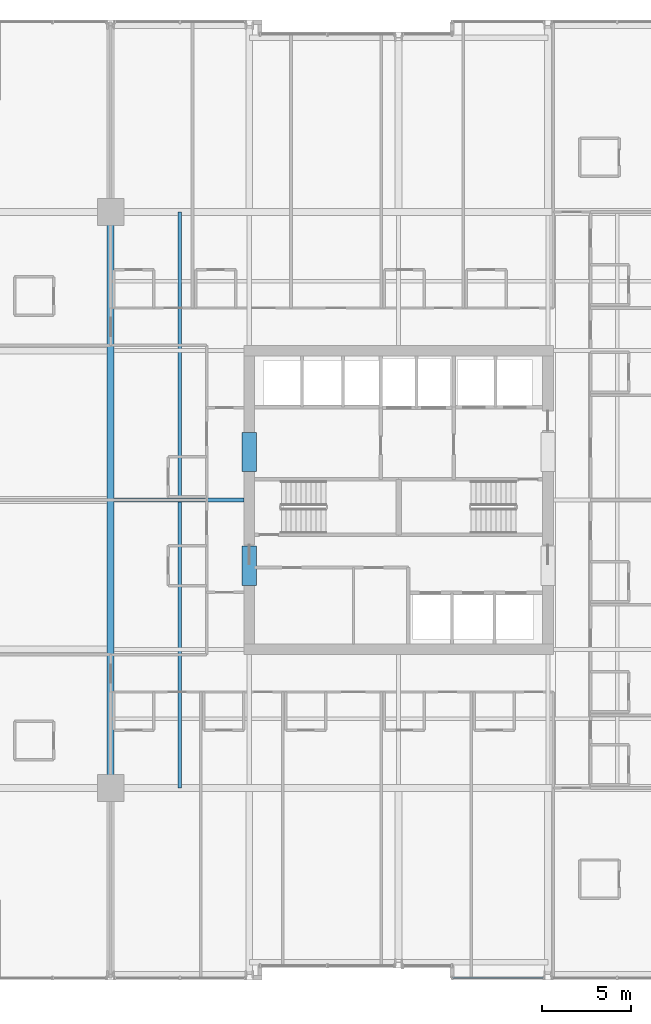
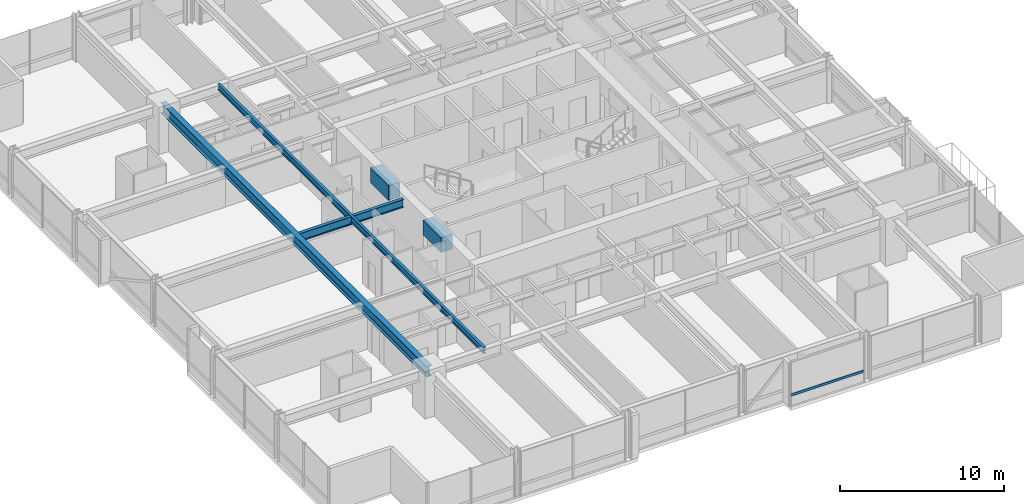
# One storey, part 10 of 35: 5 beams, 1 member, 1 element without a shape of its own.
"""IFC4 building model written with IfcOpenShell, lengths in metres."""

from ifc_helpers import new_model, si_unit, direction, frame, origin, origin_2d, place, context, subcontext, project, spatial, rectangle, hollow_rectangle, i_section, extrude, material, layer, layer_set, material_profile, profile_set, type_object, element, aggregate, save


model = new_model("IFC4")

# Units and contexts
model_context = context("Model", 3, precision=1e-05, world=origin(), true_north=direction((0.0, 1.0)))
body_context = subcontext(model_context, "Body", "Model", "MODEL_VIEW")
ifc_project = project(units=[si_unit("LENGTHUNIT", "METRE"), si_unit("AREAUNIT", "SQUARE_METRE"), si_unit("VOLUMEUNIT", "CUBIC_METRE"), si_unit("PLANEANGLEUNIT", "RADIAN"), si_unit("MASSUNIT", "GRAM", prefix="KILO")], contexts=[model_context])

# Site, building, storey
site_placement = place(None, origin())
site = spatial("IfcSite", under=ifc_project, at=site_placement, CompositionType="ELEMENT")
building_placement = place(site_placement, origin())
building = spatial("IfcBuilding", under=site, at=building_placement, Name="Drelvath Grand Hotel", CompositionType="ELEMENT")
storey_placement = place(building_placement, frame((0.0, 0.0, 95.300048828125)))
storey = spatial("IfcBuildingStorey", under=building, at=storey_placement, Name="L23", CompositionType="ELEMENT", Elevation=95.300048828125)

# Beams
ifc_material_1 = material(Name="Steel ASTM A992 Gr 50", Category="steel")
ifc_material_profile_1 = material_profile(ifc_material_1, i_section(OverallWidth=0.19140625, OverallDepth=0.4599609375, WebThickness=0.010009765625, FlangeThickness=0.01611328125, FilletRadius=0.01611328125, at=origin_2d()), Name="W18X55")
ifc_profile_set_1 = profile_set([ifc_material_profile_1], Name="Steel ASTM A992 Gr 50")
beam_type_1 = type_object("IfcBeamType", Name="Composite Floor Joist W18X55", PredefinedType="JOIST", material=ifc_profile_set_1)
beam_1_placement = place(storey_placement, frame((-12.300048828125, 10.800048828125, 3.010009765625), z_axis=(0.0, 1.0, 0.0), x_axis=(-1.0, 0.0, 0.0)))
element("IfcBeam", 1, at=beam_1_placement, inside=storey, type_object=beam_type_1, Name="L23 Wing Floor Joist J3", PredefinedType="JOIST", context=body_context, shape_type="SweptSolid", body=[
    extrude(i_section(OverallWidth=0.19140625, OverallDepth=0.4599609375, WebThickness=0.010009765625, FlangeThickness=0.01611328125, FilletRadius=0.01611328125, at=origin_2d()), origin(), (0.0, 0.0, 1.0), 32.39990234375),
])
ifc_material_2 = material(Name="Concrete f'c 70 MPa", Category="concrete")
ifc_material_profile_2 = material_profile(ifc_material_2, rectangle(XDim=0.800048828125, YDim=1.10009765625, at=origin_2d()), Name="CB800X1100")
ifc_profile_set_2 = profile_set([ifc_material_profile_2], Name="Concrete f'c 70 MPa")
beam_type_2 = type_object("IfcBeamType", Name="Core Coupling Lintel CB800X1100", PredefinedType="LINTEL", material=ifc_profile_set_2)
for number, where, z_axis, x_axis, name in (
    (2, (-8.39990234375, 22.199951171875, 2.68994140625), (0.0, 1.0, 0.0), (-1.0, 0.0, 0.0), "L23 Core Coupling Lintel WS"),
    (3, (-8.39990234375, 28.60009765625, 2.68994140625), (0.0, 1.0, 0.0), (-1.0, 0.0, 0.0), "L23 Core Coupling Lintel WN"),
):
    element("IfcBeam", number, at=place(storey_placement, frame(where, z_axis=z_axis, x_axis=x_axis)), inside=storey, type_object=beam_type_2, Name=name, PredefinedType="LINTEL", context=body_context, shape_type="SweptSolid", body=[
        extrude(rectangle(XDim=0.800048828125, YDim=1.10009765625, at=origin_2d()), origin(), (0.0, 0.0, 1.0), 2.199951171875),
    ])

# Curtain wall, member
ifc_material_3 = material(Name="Champagne Bronze Anodised Aluminium Frame", Category="aluminium")
ifc_layer = layer(ifc_material_3, 0.199951171875)
ifc_layer_set = layer_set([ifc_layer], Name="Champagne Bronze Anodised Aluminium Frame")
curtain_wall_type = type_object("IfcCurtainWallType", Name="Stick Curtain Wall CW-03 Champagne Bronze Mid-Rise", PredefinedType="NOTDEFINED", material=ifc_layer_set)
curtain_wall_placement = place(storey_placement, origin())
curtain_wall = element("IfcCurtainWall", 4, at=curtain_wall_placement, inside=storey, type_object=curtain_wall_type, Name="L23 CW-03 Curtain Wall CW03-L23-SE1", PredefinedType="NOTDEFINED")
ifc_material_profile_3 = material_profile(ifc_material_3, hollow_rectangle(XDim=0.074951171875, YDim=0.179931640625, WallThickness=0.0048828125, at=origin_2d()), Name="HSS180X75X5")
ifc_profile_set_3 = profile_set([ifc_material_profile_3], Name="Champagne Bronze Anodised Aluminium Frame")
member_type = type_object("IfcMemberType", Name="Curtain Wall Horizontal Transom CW-03 HSS180X75X5", PredefinedType="USERDEFINED", material=ifc_profile_set_3)
member_placement = place(storey_placement, frame((8.140380859375, 0.1201171875, 0.81005859375), z_axis=(-1.0, 0.0, 0.0), x_axis=(0.0, -1.0, 0.0)))
member = element("IfcMember", 5, at=member_placement, type_object=member_type, Name="CW03-L23-SE1 Sill Transom", ObjectType="TRANSOM", PredefinedType="USERDEFINED", context=body_context, shape_type="SweptSolid", body=[
    extrude(hollow_rectangle(XDim=0.074951171875, YDim=0.179931640625, WallThickness=0.0048828125, at=origin_2d()), origin(), (0.0, 0.0, 1.0), 5.100341796875),
])
aggregate(curtain_wall, [member])

# Beams
ifc_material_profile_4 = material_profile(ifc_material_1, i_section(OverallWidth=0.228271484375, OverallDepth=0.607666015625, WebThickness=0.01123046875, FlangeThickness=0.017333984375, FilletRadius=0.02001953125, at=origin_2d()), Name="W24X76")
ifc_profile_set_4 = profile_set([ifc_material_profile_4], Name="Steel ASTM A992 Gr 50")
beam_type_3 = type_object("IfcBeamType", Name="Primary Floor Girder W24X76", PredefinedType="BEAM", material=ifc_profile_set_4)
beam_2_placement = place(storey_placement, frame((-16.009765625, 27.0, 2.93603515625), z_axis=(1.0, 0.0, 0.0), x_axis=(0.0, 1.0, 0.0)))
element("IfcBeam", 6, at=beam_2_placement, inside=storey, type_object=beam_type_3, Name="L23 West Core Tie E", PredefinedType="BEAM", context=body_context, shape_type="SweptSolid", body=[
    extrude(i_section(OverallWidth=0.228271484375, OverallDepth=0.607666015625, WebThickness=0.01123046875, FlangeThickness=0.017333984375, FilletRadius=0.02001953125, at=origin_2d()), origin(), (0.0, 0.0, 1.0), 7.309814453125),
])
ifc_material_profile_5 = material_profile(ifc_material_1, i_section(OverallWidth=0.380615234375, OverallDepth=0.773193359375, WebThickness=0.0166015625, FlangeThickness=0.027099609375, FilletRadius=0.02490234375, at=origin_2d()), Name="W30X173")
ifc_profile_set_5 = profile_set([ifc_material_profile_5], Name="Steel ASTM A992 Gr 50")
beam_type_4 = type_object("IfcBeamType", Name="Primary Floor Girder W30X173", PredefinedType="BEAM", material=ifc_profile_set_5)
beam_3_placement = place(storey_placement, frame((-16.199951171875, 10.800048828125, 2.853271484375), z_axis=(0.0, 1.0, 0.0), x_axis=(-1.0, 0.0, 0.0)))
element("IfcBeam", 7, at=beam_3_placement, inside=storey, type_object=beam_type_4, Name="L23 Mega Ring Girder West", PredefinedType="BEAM", context=body_context, shape_type="SweptSolid", body=[
    extrude(i_section(OverallWidth=0.380615234375, OverallDepth=0.773193359375, WebThickness=0.0166015625, FlangeThickness=0.027099609375, FilletRadius=0.02490234375, at=origin_2d()), origin(), (0.0, 0.0, 1.0), 32.39990234375),
])

save(model, "model.ifc")
